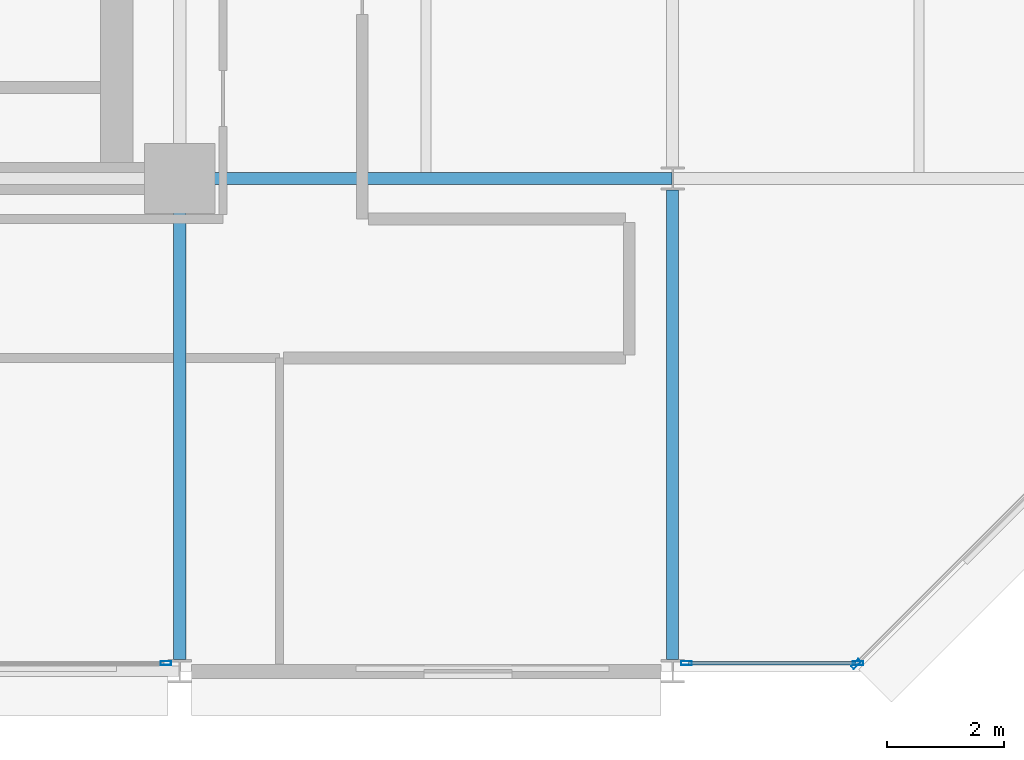
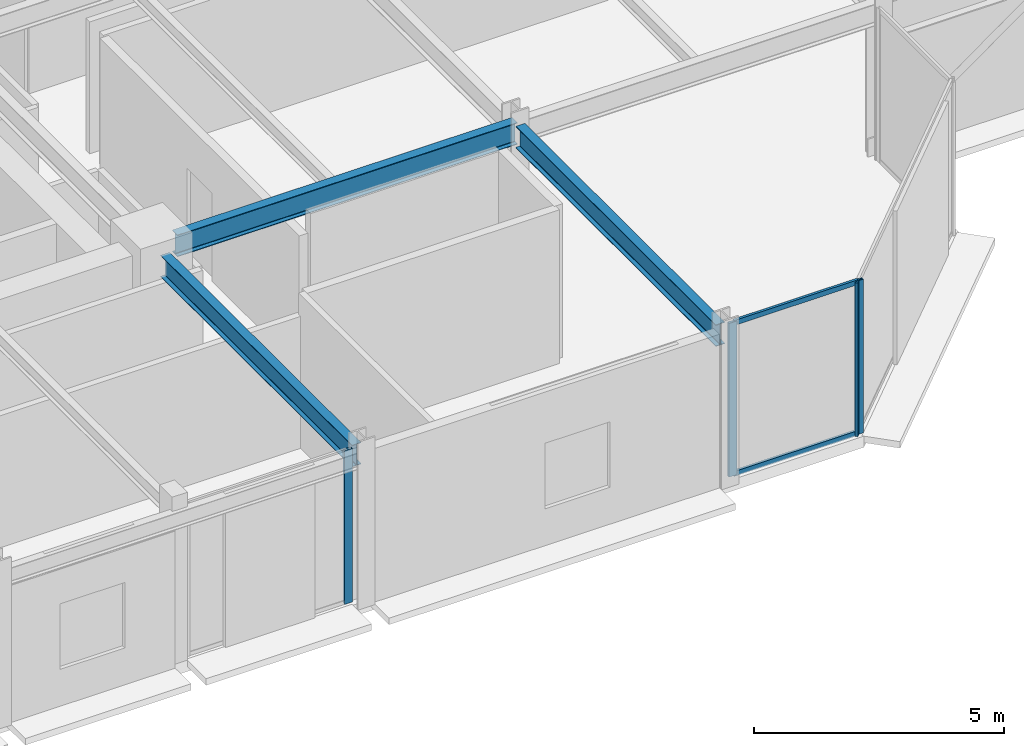
# One storey, part 16 of 40: 6 members, 3 beams, 3 elements without a shape of their own.
"""IFC4 building model written with IfcOpenShell, lengths in metres."""

from ifc_helpers import new_model, si_unit, direction, frame, origin, origin_2d, place, context, subcontext, project, spatial, hollow_rectangle, i_section, extrude, material, layer, layer_set, material_profile, profile_set, type_object, element, aggregate, save


model = new_model("IFC4")

# Units and contexts
model_context = context("Model", 3, precision=1e-05, world=origin(), true_north=direction((0.0, 1.0)))
body_context = subcontext(model_context, "Body", "Model", "MODEL_VIEW")
ifc_project = project(units=[si_unit("LENGTHUNIT", "METRE"), si_unit("AREAUNIT", "SQUARE_METRE"), si_unit("VOLUMEUNIT", "CUBIC_METRE"), si_unit("PLANEANGLEUNIT", "RADIAN"), si_unit("MASSUNIT", "GRAM", prefix="KILO")], contexts=[model_context])

# Site, building, storey
site_placement = place(None, origin())
site = spatial("IfcSite", under=ifc_project, at=site_placement, CompositionType="ELEMENT")
building_placement = place(site_placement, origin())
building = spatial("IfcBuilding", under=site, at=building_placement, Name="Nerrivon Quay Data Exchange", CompositionType="ELEMENT")
storey_placement = place(building_placement, frame((0.0, 0.0, 109.0)))
storey = spatial("IfcBuildingStorey", under=building, at=storey_placement, Name="L25", CompositionType="ELEMENT", Elevation=109.0)

# Beams
ifc_material_1 = material(Name="Steel Grade 350", Category="steel")
ifc_material_profile_1 = material_profile(ifc_material_1, i_section(OverallWidth=0.208984375, OverallDepth=0.532958984375, WebThickness=0.01025390625, FlangeThickness=0.015625, FilletRadius=0.013916015625, at=origin_2d()), Name="530UB92.4")
ifc_profile_set_1 = profile_set([ifc_material_profile_1], Name="Steel Grade 350")
beam_type_1 = type_object("IfcBeamType", Name="BM-G3-530UB92", PredefinedType="BEAM", material=ifc_profile_set_1)
beam_1_placement = place(storey_placement, frame((34.139892578125, 8.39990234375, 3.4833984375), z_axis=(1.0, 0.0, 0.0), x_axis=(0.0, 1.0, 0.0)))
element("IfcBeam", 1, at=beam_1_placement, inside=storey, type_object=beam_type_1, Name="L25 EW Girder Y=8.4 (33.6..42.0)", PredefinedType="BEAM", context=body_context, shape_type="SweptSolid", body=[
    extrude(i_section(OverallWidth=0.208984375, OverallDepth=0.532958984375, WebThickness=0.01025390625, FlangeThickness=0.015625, FilletRadius=0.013916015625, at=origin_2d()), origin(), (0.0, 0.0, 1.0), 7.84765625),
])
ifc_material_profile_2 = material_profile(ifc_material_1, i_section(OverallWidth=0.208984375, OverallDepth=0.528076171875, WebThickness=0.009521484375, FlangeThickness=0.01318359375, FilletRadius=0.013916015625, at=origin_2d()), Name="530UB82.0")
ifc_profile_set_2 = profile_set([ifc_material_profile_2], Name="Steel Grade 350")
beam_type_2 = type_object("IfcBeamType", Name="BM-G4-530UB82", PredefinedType="BEAM", material=ifc_profile_set_2)
beam_2_placement = place(storey_placement, frame((33.60009765625, 0.199951171875, 3.486083984375), z_axis=(0.0, 1.0, 0.0), x_axis=(-1.0, 0.0, 0.0)))
element("IfcBeam", 2, at=beam_2_placement, inside=storey, type_object=beam_type_2, Name="L25 NS Girder X=33.6 (0.0..8.4)", PredefinedType="BEAM", context=body_context, shape_type="SweptSolid", body=[
    extrude(i_section(OverallWidth=0.208984375, OverallDepth=0.528076171875, WebThickness=0.009521484375, FlangeThickness=0.01318359375, FilletRadius=0.013916015625, at=origin_2d()), origin(), (0.0, 0.0, 1.0), 7.66015625),
])
beam_3_placement = place(storey_placement, frame((42.0, 0.199951171875, 3.486083984375), z_axis=(0.0, 1.0, 0.0), x_axis=(-1.0, 0.0, 0.0)))
element("IfcBeam", 3, at=beam_3_placement, inside=storey, type_object=beam_type_2, Name="L25 NS Girder X=42.0 (0.0..8.4)", PredefinedType="BEAM", context=body_context, shape_type="SweptSolid", body=[
    extrude(i_section(OverallWidth=0.208984375, OverallDepth=0.528076171875, WebThickness=0.009521484375, FlangeThickness=0.01318359375, FilletRadius=0.013916015625, at=origin_2d()), origin(), (0.0, 0.0, 1.0), 8.0),
])

# Curtain wall, member
ifc_material_2 = material(Name="Anodised aluminium 6063-T6", Category="aluminium")
ifc_layer = layer(ifc_material_2, 0.2099609375)
ifc_layer_set = layer_set([ifc_layer], Name="Anodised aluminium 6063-T6")
curtain_wall_type = type_object("IfcCurtainWallType", Name="CW-SYS-02", PredefinedType="NOTDEFINED", material=ifc_layer_set)
curtain_wall_1_placement = place(storey_placement, origin())
curtain_wall_1 = element("IfcCurtainWall", 4, at=curtain_wall_1_placement, inside=storey, type_object=curtain_wall_type, Name="L25 Unitised Curtain Wall 5", PredefinedType="NOTDEFINED")
ifc_material_profile_3 = material_profile(ifc_material_2, hollow_rectangle(XDim=0.06494140625, YDim=0.179931640625, WallThickness=0.00341796875, at=origin_2d()), Name="ALU-MULL-180x65")
ifc_profile_set_3 = profile_set([ifc_material_profile_3], Name="Anodised aluminium 6063-T6")
member_type_1 = type_object("IfcMemberType", Name="CWM-180x65", PredefinedType="MULLION", material=ifc_profile_set_3)
member_1_placement = place(storey_placement, frame((45.12744140625, 0.12548828125, 0.0), z_axis=(0.0, 0.0, 1.0), x_axis=(0.707106781187, -0.707106781187, 0.0)))
member_1 = element("IfcMember", 5, at=member_1_placement, type_object=member_type_1, Name="CW02 mullion 2", PredefinedType="MULLION", context=body_context, shape_type="SweptSolid", body=[
    extrude(hollow_rectangle(XDim=0.06494140625, YDim=0.179931640625, WallThickness=0.00341796875, at=origin_2d()), origin(), (0.0, 0.0, 1.0), 3.75),
])
aggregate(curtain_wall_1, [member_1])

# Curtain wall, members
curtain_wall_2_placement = place(storey_placement, origin())
curtain_wall_2 = element("IfcCurtainWall", 6, at=curtain_wall_2_placement, inside=storey, type_object=curtain_wall_type, Name="L25 Unitised Curtain Wall 6", PredefinedType="NOTDEFINED")
member_2_placement = place(storey_placement, frame((45.16259765625, 0.139892578125, 0.0), z_axis=(0.0, 0.0, 1.0), x_axis=(0.0, -1.0, 0.0)))
member_2 = element("IfcMember", 7, at=member_2_placement, type_object=member_type_1, Name="CW02 mullion 1", PredefinedType="MULLION", context=body_context, shape_type="SweptSolid", body=[
    extrude(hollow_rectangle(XDim=0.06494140625, YDim=0.179931640625, WallThickness=0.00341796875, at=origin_2d()), origin(), (0.0, 0.0, 1.0), 3.75),
])
member_3_placement = place(storey_placement, frame((42.237548828125, 0.139892578125, 0.0), z_axis=(0.0, 0.0, 1.0), x_axis=(0.0, -1.0, 0.0)))
member_3 = element("IfcMember", 8, at=member_3_placement, type_object=member_type_1, Name="CW02 mullion 2", PredefinedType="MULLION", context=body_context, shape_type="SweptSolid", body=[
    extrude(hollow_rectangle(XDim=0.06494140625, YDim=0.179931640625, WallThickness=0.00341796875, at=origin_2d()), origin(), (0.0, 0.0, 1.0), 3.75),
])

# Curtain wall, member
curtain_wall_3_placement = place(storey_placement, origin())
curtain_wall_3 = element("IfcCurtainWall", 9, at=curtain_wall_3_placement, inside=storey, type_object=curtain_wall_type, Name="L25 Unitised Curtain Wall 8", PredefinedType="NOTDEFINED")
member_4_placement = place(storey_placement, frame((33.362548828125, 0.139892578125, 0.0), z_axis=(0.0, 0.0, 1.0), x_axis=(0.0, -1.0, 0.0)))
member_4 = element("IfcMember", 10, at=member_4_placement, type_object=member_type_1, Name="CW02 mullion 1", PredefinedType="MULLION", context=body_context, shape_type="SweptSolid", body=[
    extrude(hollow_rectangle(XDim=0.06494140625, YDim=0.179931640625, WallThickness=0.00341796875, at=origin_2d()), origin(), (0.0, 0.0, 1.0), 3.75),
])
aggregate(curtain_wall_3, [member_4])

# Member
ifc_material_profile_4 = material_profile(ifc_material_2, hollow_rectangle(XDim=0.06005859375, YDim=0.1201171875, WallThickness=0.003173828125, at=origin_2d()), Name="ALU-TRAN-120x60")
ifc_profile_set_4 = profile_set([ifc_material_profile_4], Name="Anodised aluminium 6063-T6")
member_type_2 = type_object("IfcMemberType", Name="CWT-120x60", PredefinedType="USERDEFINED", material=ifc_profile_set_4)
member_5_placement = place(storey_placement, frame((45.125, 0.139892578125, 0.032470703125), z_axis=(-1.0, 0.0, 0.0), x_axis=(0.0, -1.0, 0.0)))
member_5 = element("IfcMember", 11, at=member_5_placement, type_object=member_type_2, Name="CW02 transom 1.1", ObjectType="TRANSOM", PredefinedType="USERDEFINED", context=body_context, shape_type="SweptSolid", body=[
    extrude(hollow_rectangle(XDim=0.06005859375, YDim=0.1201171875, WallThickness=0.003173828125, at=origin_2d()), origin(), (0.0, 0.0, 1.0), 2.85009765625),
])

member_6_placement = place(storey_placement, frame((45.125, 0.139892578125, 3.717529296875), z_axis=(-1.0, 0.0, 0.0), x_axis=(0.0, -1.0, 0.0)))
member_6 = element("IfcMember", 12, at=member_6_placement, type_object=member_type_2, Name="CW02 transom 1.2", ObjectType="TRANSOM", PredefinedType="USERDEFINED", context=body_context, shape_type="SweptSolid", body=[
    extrude(hollow_rectangle(XDim=0.06005859375, YDim=0.1201171875, WallThickness=0.003173828125, at=origin_2d()), origin(), (0.0, 0.0, 1.0), 2.85009765625),
])

aggregate(curtain_wall_2, [member_2, member_3, member_5, member_6])

save(model, "model.ifc")
